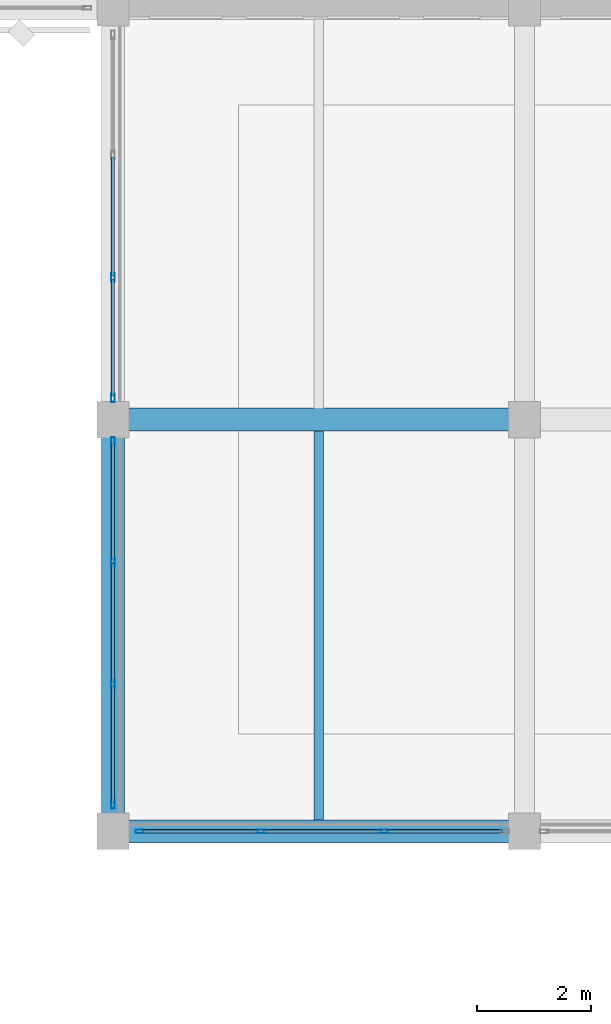
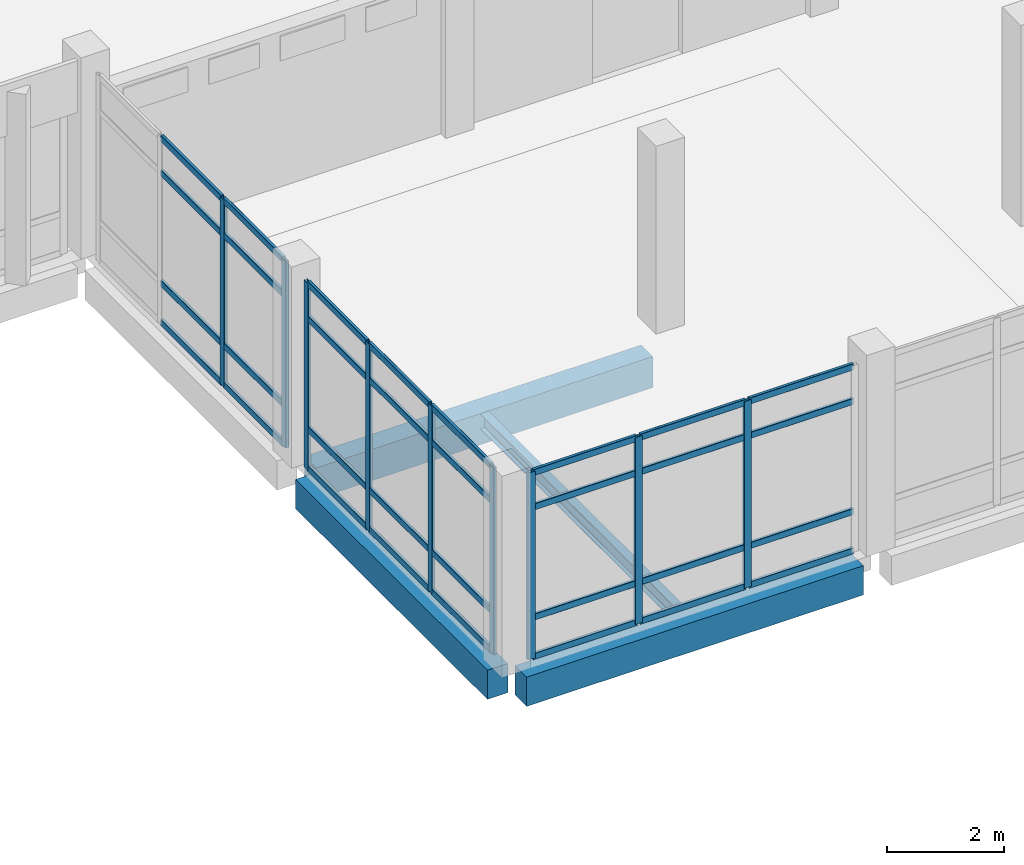
# One storey, part 54 of 158: 41 members, 4 beams, 3 elements without a shape of their own.
"""IFC4 building model written with IfcOpenShell, lengths in metres."""

from ifc_helpers import new_model, si_unit, direction, frame, origin, origin_2d, place, context, subcontext, project, spatial, rectangle, hollow_rectangle, i_section, extrude, material, material_profile, profile_set, type_object, element, aggregate, save


model = new_model("IFC4")

# Units and contexts
model_context = context("Model", 3, precision=1e-05, world=origin(), true_north=direction((0.0, 1.0)))
body_context = subcontext(model_context, "Body", "Model", "MODEL_VIEW")
ifc_project = project(units=[si_unit("LENGTHUNIT", "METRE"), si_unit("AREAUNIT", "SQUARE_METRE"), si_unit("VOLUMEUNIT", "CUBIC_METRE"), si_unit("PLANEANGLEUNIT", "RADIAN"), si_unit("MASSUNIT", "GRAM", prefix="KILO")], contexts=[model_context])

# Site, building, storey
site_placement = place(None, origin())
site = spatial("IfcSite", under=ifc_project, at=site_placement, CompositionType="ELEMENT")
building_placement = place(site_placement, origin())
building = spatial("IfcBuilding", under=site, at=building_placement, Name="Lusvemor Sports Hall", CompositionType="ELEMENT")
storey_placement = place(building_placement, frame((0.0, 0.0, 10.800048828125)))
storey = spatial("IfcBuildingStorey", under=building, at=storey_placement, Name="L02", CompositionType="ELEMENT", Elevation=10.800048828125)

# Beam
ifc_material_1 = material(Name="Concrete C40/50", Category="concrete")
ifc_material_profile_1 = material_profile(ifc_material_1, rectangle(XDim=0.39990234375, YDim=0.64990234375, at=origin_2d()), Name="RC400x650")
ifc_profile_set_1 = profile_set([ifc_material_profile_1], Name="Concrete C40/50")
beam_type_1 = type_object("IfcBeamType", Name="BEAM_RC_650", PredefinedType="BEAM", material=ifc_profile_set_1)
beam_1_placement = place(storey_placement, frame((119.075927734375, 90.0, -0.5849609375), z_axis=(1.0, 0.0, 0.0), x_axis=(0.0, 1.0, 0.0)))
element("IfcBeam", 1, at=beam_1_placement, inside=storey, type_object=beam_type_1, Name="Beam L02 M:13-14", PredefinedType="BEAM", context=body_context, shape_type="SweptSolid", body=[
    extrude(rectangle(XDim=0.39990234375, YDim=0.64990234375, at=origin_2d()), origin(), (0.0, 0.0, 1.0), 6.648193359375),
])

# Curtain wall, members
ifc_material_2 = material(Name="Thermally broken bronze-anodized aluminium", Category="aluminium")
curtain_wall_type = type_object("IfcCurtainWallType", Name="CW_WING_B", PredefinedType="NOTDEFINED", material=ifc_material_2)
curtain_wall_1_placement = place(storey_placement, origin())
curtain_wall_1 = element("IfcCurtainWall", 2, at=curtain_wall_1_placement, inside=storey, type_object=curtain_wall_type, Name="Curtain Wall CW-V5NE-W-L02-A", PredefinedType="NOTDEFINED")
ifc_material_3 = material(Name="Thermally broken bronze-anodized aluminium", Category="aluminium")
ifc_material_profile_2 = material_profile(ifc_material_3, hollow_rectangle(XDim=0.06494140625, YDim=0.14990234375, WallThickness=0.00390625, InnerFilletRadius=0.00390625, OuterFilletRadius=0.008056640625, at=origin_2d()), Name="CWMUL150x65x4")
ifc_profile_set_2 = profile_set([ifc_material_profile_2], Name="Thermally broken bronze-anodized aluminium")
member_type_1 = type_object("IfcMemberType", Name="CW_MUL_B", PredefinedType="MULLION", material=ifc_profile_set_2)
member_1_placement = place(storey_placement, frame((118.800048828125, 83.2724609375, -0.050048828125), z_axis=(0.0, 0.0, 1.0), x_axis=(-1.0, 0.0, 0.0)))
member_1 = element("IfcMember", 3, at=member_1_placement, type_object=member_type_1, Name="CW02 mullion 1", PredefinedType="MULLION", context=body_context, shape_type="SweptSolid", body=[
    extrude(hollow_rectangle(XDim=0.06494140625, YDim=0.14990234375, WallThickness=0.00390625, InnerFilletRadius=0.00390625, OuterFilletRadius=0.008056640625, at=origin_2d()), origin(), (0.0, 0.0, 1.0), 3.89990234375),
])
member_2_placement = place(storey_placement, frame((118.800048828125, 85.376708984375, -0.050048828125), z_axis=(0.0, 0.0, 1.0), x_axis=(-1.0, 0.0, 0.0)))
member_2 = element("IfcMember", 4, at=member_2_placement, type_object=member_type_1, Name="CW02 mullion 2", PredefinedType="MULLION", context=body_context, shape_type="SweptSolid", body=[
    extrude(hollow_rectangle(XDim=0.06494140625, YDim=0.14990234375, WallThickness=0.00390625, InnerFilletRadius=0.00390625, OuterFilletRadius=0.008056640625, at=origin_2d()), origin(), (0.0, 0.0, 1.0), 3.89990234375),
])
member_3_placement = place(storey_placement, frame((118.800048828125, 87.513427734375, -0.050048828125), z_axis=(0.0, 0.0, 1.0), x_axis=(-1.0, 0.0, 0.0)))
member_3 = element("IfcMember", 5, at=member_3_placement, type_object=member_type_1, Name="CW02 mullion 3", PredefinedType="MULLION", context=body_context, shape_type="SweptSolid", body=[
    extrude(hollow_rectangle(XDim=0.06494140625, YDim=0.14990234375, WallThickness=0.00390625, InnerFilletRadius=0.00390625, OuterFilletRadius=0.008056640625, at=origin_2d()), origin(), (0.0, 0.0, 1.0), 3.89990234375),
])
member_4_placement = place(storey_placement, frame((118.800048828125, 89.617431640625, -0.050048828125), z_axis=(0.0, 0.0, 1.0), x_axis=(-1.0, 0.0, 0.0)))
member_4 = element("IfcMember", 6, at=member_4_placement, type_object=member_type_1, Name="CW02 mullion 4", PredefinedType="MULLION", context=body_context, shape_type="SweptSolid", body=[
    extrude(hollow_rectangle(XDim=0.06494140625, YDim=0.14990234375, WallThickness=0.00390625, InnerFilletRadius=0.00390625, OuterFilletRadius=0.008056640625, at=origin_2d()), origin(), (0.0, 0.0, 1.0), 3.89990234375),
])

curtain_wall_2_placement = place(storey_placement, origin())
curtain_wall_2 = element("IfcCurtainWall", 7, at=curtain_wall_2_placement, inside=storey, type_object=curtain_wall_type, Name="Curtain Wall CW-V5NE-W-L02-B", PredefinedType="NOTDEFINED")
member_5_placement = place(storey_placement, frame((118.800048828125, 90.382568359375, -0.050048828125), z_axis=(0.0, 0.0, 1.0), x_axis=(-1.0, 0.0, 0.0)))
member_5 = element("IfcMember", 8, at=member_5_placement, type_object=member_type_1, Name="CW02 mullion 1", PredefinedType="MULLION", context=body_context, shape_type="SweptSolid", body=[
    extrude(hollow_rectangle(XDim=0.06494140625, YDim=0.14990234375, WallThickness=0.00390625, InnerFilletRadius=0.00390625, OuterFilletRadius=0.008056640625, at=origin_2d()), origin(), (0.0, 0.0, 1.0), 3.89990234375),
])
member_6_placement = place(storey_placement, frame((118.800048828125, 92.486572265625, -0.050048828125), z_axis=(0.0, 0.0, 1.0), x_axis=(-1.0, 0.0, 0.0)))
member_6 = element("IfcMember", 9, at=member_6_placement, type_object=member_type_1, Name="CW02 mullion 2", PredefinedType="MULLION", context=body_context, shape_type="SweptSolid", body=[
    extrude(hollow_rectangle(XDim=0.06494140625, YDim=0.14990234375, WallThickness=0.00390625, InnerFilletRadius=0.00390625, OuterFilletRadius=0.008056640625, at=origin_2d()), origin(), (0.0, 0.0, 1.0), 3.89990234375),
])

curtain_wall_3_placement = place(storey_placement, origin())
curtain_wall_3 = element("IfcCurtainWall", 10, at=curtain_wall_3_placement, inside=storey, type_object=curtain_wall_type, Name="Curtain Wall CW-V5NE-S-L02-B", PredefinedType="NOTDEFINED")
member_7_placement = place(storey_placement, frame((123.5400390625, 82.800048828125, -0.050048828125), z_axis=(0.0, 0.0, 1.0), x_axis=(0.0, -1.0, 0.0)))
member_7 = element("IfcMember", 11, at=member_7_placement, type_object=member_type_1, Name="CW02 mullion 2", PredefinedType="MULLION", context=body_context, shape_type="SweptSolid", body=[
    extrude(hollow_rectangle(XDim=0.06494140625, YDim=0.14990234375, WallThickness=0.00390625, InnerFilletRadius=0.00390625, OuterFilletRadius=0.008056640625, at=origin_2d()), origin(), (0.0, 0.0, 1.0), 3.89990234375),
])
member_8_placement = place(storey_placement, frame((121.389892578125, 82.800048828125, -0.050048828125), z_axis=(0.0, 0.0, 1.0), x_axis=(0.0, -1.0, 0.0)))
member_8 = element("IfcMember", 12, at=member_8_placement, type_object=member_type_1, Name="CW02 mullion 3", PredefinedType="MULLION", context=body_context, shape_type="SweptSolid", body=[
    extrude(hollow_rectangle(XDim=0.06494140625, YDim=0.14990234375, WallThickness=0.00390625, InnerFilletRadius=0.00390625, OuterFilletRadius=0.008056640625, at=origin_2d()), origin(), (0.0, 0.0, 1.0), 3.89990234375),
])
member_9_placement = place(storey_placement, frame((119.2724609375, 82.800048828125, -0.050048828125), z_axis=(0.0, 0.0, 1.0), x_axis=(0.0, -1.0, 0.0)))
member_9 = element("IfcMember", 13, at=member_9_placement, type_object=member_type_1, Name="CW02 mullion 4", PredefinedType="MULLION", context=body_context, shape_type="SweptSolid", body=[
    extrude(hollow_rectangle(XDim=0.06494140625, YDim=0.14990234375, WallThickness=0.00390625, InnerFilletRadius=0.00390625, OuterFilletRadius=0.008056640625, at=origin_2d()), origin(), (0.0, 0.0, 1.0), 3.89990234375),
])

# Member
ifc_material_4 = material(Name="Thermally broken bronze-anodized aluminium", Category="aluminium")
ifc_material_profile_3 = material_profile(ifc_material_4, hollow_rectangle(XDim=0.06005859375, YDim=0.135009765625, WallThickness=0.00390625, InnerFilletRadius=0.00390625, OuterFilletRadius=0.008056640625, at=origin_2d()), Name="CWTRN135x60x4")
ifc_profile_set_3 = profile_set([ifc_material_profile_3], Name="Thermally broken bronze-anodized aluminium")
member_type_2 = type_object("IfcMemberType", Name="CW_TRN_B", PredefinedType="USERDEFINED", material=ifc_profile_set_3)
member_10_placement = place(storey_placement, frame((118.800048828125, 83.304931640625, -0.02001953125), z_axis=(0.0, 1.0, 0.0), x_axis=(-1.0, 0.0, 0.0)))
member_10 = element("IfcMember", 14, at=member_10_placement, type_object=member_type_2, Name="CW02 transom 1.1", ObjectType="TRANSOM", PredefinedType="USERDEFINED", context=body_context, shape_type="SweptSolid", body=[
    extrude(hollow_rectangle(XDim=0.06005859375, YDim=0.135009765625, WallThickness=0.00390625, InnerFilletRadius=0.00390625, OuterFilletRadius=0.008056640625, at=origin_2d()), origin(), (0.0, 0.0, 1.0), 2.039306640625),
])

member_11_placement = place(storey_placement, frame((118.800048828125, 83.304931640625, 0.800048828125), z_axis=(0.0, 1.0, 0.0), x_axis=(-1.0, 0.0, 0.0)))
member_11 = element("IfcMember", 15, at=member_11_placement, type_object=member_type_2, Name="CW02 transom 1.2", ObjectType="TRANSOM", PredefinedType="USERDEFINED", context=body_context, shape_type="SweptSolid", body=[
    extrude(hollow_rectangle(XDim=0.06005859375, YDim=0.135009765625, WallThickness=0.00390625, InnerFilletRadius=0.00390625, OuterFilletRadius=0.008056640625, at=origin_2d()), origin(), (0.0, 0.0, 1.0), 2.039306640625),
])

member_12_placement = place(storey_placement, frame((118.800048828125, 83.304931640625, 3.099853515625), z_axis=(0.0, 1.0, 0.0), x_axis=(-1.0, 0.0, 0.0)))
member_12 = element("IfcMember", 16, at=member_12_placement, type_object=member_type_2, Name="CW02 transom 1.3", ObjectType="TRANSOM", PredefinedType="USERDEFINED", context=body_context, shape_type="SweptSolid", body=[
    extrude(hollow_rectangle(XDim=0.06005859375, YDim=0.135009765625, WallThickness=0.00390625, InnerFilletRadius=0.00390625, OuterFilletRadius=0.008056640625, at=origin_2d()), origin(), (0.0, 0.0, 1.0), 2.039306640625),
])

member_13_placement = place(storey_placement, frame((118.800048828125, 83.304931640625, 3.820068359375), z_axis=(0.0, 1.0, 0.0), x_axis=(-1.0, 0.0, 0.0)))
member_13 = element("IfcMember", 17, at=member_13_placement, type_object=member_type_2, Name="CW02 transom 1.4", ObjectType="TRANSOM", PredefinedType="USERDEFINED", context=body_context, shape_type="SweptSolid", body=[
    extrude(hollow_rectangle(XDim=0.06005859375, YDim=0.135009765625, WallThickness=0.00390625, InnerFilletRadius=0.00390625, OuterFilletRadius=0.008056640625, at=origin_2d()), origin(), (0.0, 0.0, 1.0), 2.039306640625),
])

member_14_placement = place(storey_placement, frame((118.800048828125, 85.4091796875, -0.02001953125), z_axis=(0.0, 1.0, 0.0), x_axis=(-1.0, 0.0, 0.0)))
member_14 = element("IfcMember", 18, at=member_14_placement, type_object=member_type_2, Name="CW02 transom 2.1", ObjectType="TRANSOM", PredefinedType="USERDEFINED", context=body_context, shape_type="SweptSolid", body=[
    extrude(hollow_rectangle(XDim=0.06005859375, YDim=0.135009765625, WallThickness=0.00390625, InnerFilletRadius=0.00390625, OuterFilletRadius=0.008056640625, at=origin_2d()), origin(), (0.0, 0.0, 1.0), 2.071533203125),
])

member_15_placement = place(storey_placement, frame((118.800048828125, 85.4091796875, 0.800048828125), z_axis=(0.0, 1.0, 0.0), x_axis=(-1.0, 0.0, 0.0)))
member_15 = element("IfcMember", 19, at=member_15_placement, type_object=member_type_2, Name="CW02 transom 2.2", ObjectType="TRANSOM", PredefinedType="USERDEFINED", context=body_context, shape_type="SweptSolid", body=[
    extrude(hollow_rectangle(XDim=0.06005859375, YDim=0.135009765625, WallThickness=0.00390625, InnerFilletRadius=0.00390625, OuterFilletRadius=0.008056640625, at=origin_2d()), origin(), (0.0, 0.0, 1.0), 2.071533203125),
])

member_16_placement = place(storey_placement, frame((118.800048828125, 85.4091796875, 3.099853515625), z_axis=(0.0, 1.0, 0.0), x_axis=(-1.0, 0.0, 0.0)))
member_16 = element("IfcMember", 20, at=member_16_placement, type_object=member_type_2, Name="CW02 transom 2.3", ObjectType="TRANSOM", PredefinedType="USERDEFINED", context=body_context, shape_type="SweptSolid", body=[
    extrude(hollow_rectangle(XDim=0.06005859375, YDim=0.135009765625, WallThickness=0.00390625, InnerFilletRadius=0.00390625, OuterFilletRadius=0.008056640625, at=origin_2d()), origin(), (0.0, 0.0, 1.0), 2.071533203125),
])

member_17_placement = place(storey_placement, frame((118.800048828125, 85.4091796875, 3.820068359375), z_axis=(0.0, 1.0, 0.0), x_axis=(-1.0, 0.0, 0.0)))
member_17 = element("IfcMember", 21, at=member_17_placement, type_object=member_type_2, Name="CW02 transom 2.4", ObjectType="TRANSOM", PredefinedType="USERDEFINED", context=body_context, shape_type="SweptSolid", body=[
    extrude(hollow_rectangle(XDim=0.06005859375, YDim=0.135009765625, WallThickness=0.00390625, InnerFilletRadius=0.00390625, OuterFilletRadius=0.008056640625, at=origin_2d()), origin(), (0.0, 0.0, 1.0), 2.071533203125),
])

member_18_placement = place(storey_placement, frame((118.800048828125, 87.5458984375, -0.02001953125), z_axis=(0.0, 1.0, 0.0), x_axis=(-1.0, 0.0, 0.0)))
member_18 = element("IfcMember", 22, at=member_18_placement, type_object=member_type_2, Name="CW02 transom 3.1", ObjectType="TRANSOM", PredefinedType="USERDEFINED", context=body_context, shape_type="SweptSolid", body=[
    extrude(hollow_rectangle(XDim=0.06005859375, YDim=0.135009765625, WallThickness=0.00390625, InnerFilletRadius=0.00390625, OuterFilletRadius=0.008056640625, at=origin_2d()), origin(), (0.0, 0.0, 1.0), 2.0390625),
])

member_19_placement = place(storey_placement, frame((118.800048828125, 87.5458984375, 0.800048828125), z_axis=(0.0, 1.0, 0.0), x_axis=(-1.0, 0.0, 0.0)))
member_19 = element("IfcMember", 23, at=member_19_placement, type_object=member_type_2, Name="CW02 transom 3.2", ObjectType="TRANSOM", PredefinedType="USERDEFINED", context=body_context, shape_type="SweptSolid", body=[
    extrude(hollow_rectangle(XDim=0.06005859375, YDim=0.135009765625, WallThickness=0.00390625, InnerFilletRadius=0.00390625, OuterFilletRadius=0.008056640625, at=origin_2d()), origin(), (0.0, 0.0, 1.0), 2.0390625),
])

member_20_placement = place(storey_placement, frame((118.800048828125, 87.5458984375, 3.099853515625), z_axis=(0.0, 1.0, 0.0), x_axis=(-1.0, 0.0, 0.0)))
member_20 = element("IfcMember", 24, at=member_20_placement, type_object=member_type_2, Name="CW02 transom 3.3", ObjectType="TRANSOM", PredefinedType="USERDEFINED", context=body_context, shape_type="SweptSolid", body=[
    extrude(hollow_rectangle(XDim=0.06005859375, YDim=0.135009765625, WallThickness=0.00390625, InnerFilletRadius=0.00390625, OuterFilletRadius=0.008056640625, at=origin_2d()), origin(), (0.0, 0.0, 1.0), 2.0390625),
])

member_21_placement = place(storey_placement, frame((118.800048828125, 87.5458984375, 3.820068359375), z_axis=(0.0, 1.0, 0.0), x_axis=(-1.0, 0.0, 0.0)))
member_21 = element("IfcMember", 25, at=member_21_placement, type_object=member_type_2, Name="CW02 transom 3.4", ObjectType="TRANSOM", PredefinedType="USERDEFINED", context=body_context, shape_type="SweptSolid", body=[
    extrude(hollow_rectangle(XDim=0.06005859375, YDim=0.135009765625, WallThickness=0.00390625, InnerFilletRadius=0.00390625, OuterFilletRadius=0.008056640625, at=origin_2d()), origin(), (0.0, 0.0, 1.0), 2.0390625),
])

aggregate(curtain_wall_1, [member_1, member_2, member_3, member_4, member_10, member_11, member_12, member_13, member_14, member_15, member_16, member_17, member_18, member_19, member_20, member_21])

member_22_placement = place(storey_placement, frame((118.800048828125, 90.4150390625, -0.02001953125), z_axis=(0.0, 1.0, 0.0), x_axis=(-1.0, 0.0, 0.0)))
member_22 = element("IfcMember", 26, at=member_22_placement, type_object=member_type_2, Name="CW02 transom 1.1", ObjectType="TRANSOM", PredefinedType="USERDEFINED", context=body_context, shape_type="SweptSolid", body=[
    extrude(hollow_rectangle(XDim=0.06005859375, YDim=0.135009765625, WallThickness=0.00390625, InnerFilletRadius=0.00390625, OuterFilletRadius=0.008056640625, at=origin_2d()), origin(), (0.0, 0.0, 1.0), 2.0390625),
])

member_23_placement = place(storey_placement, frame((118.800048828125, 90.4150390625, 0.800048828125), z_axis=(0.0, 1.0, 0.0), x_axis=(-1.0, 0.0, 0.0)))
member_23 = element("IfcMember", 27, at=member_23_placement, type_object=member_type_2, Name="CW02 transom 1.2", ObjectType="TRANSOM", PredefinedType="USERDEFINED", context=body_context, shape_type="SweptSolid", body=[
    extrude(hollow_rectangle(XDim=0.06005859375, YDim=0.135009765625, WallThickness=0.00390625, InnerFilletRadius=0.00390625, OuterFilletRadius=0.008056640625, at=origin_2d()), origin(), (0.0, 0.0, 1.0), 2.0390625),
])

member_24_placement = place(storey_placement, frame((118.800048828125, 90.4150390625, 3.099853515625), z_axis=(0.0, 1.0, 0.0), x_axis=(-1.0, 0.0, 0.0)))
member_24 = element("IfcMember", 28, at=member_24_placement, type_object=member_type_2, Name="CW02 transom 1.3", ObjectType="TRANSOM", PredefinedType="USERDEFINED", context=body_context, shape_type="SweptSolid", body=[
    extrude(hollow_rectangle(XDim=0.06005859375, YDim=0.135009765625, WallThickness=0.00390625, InnerFilletRadius=0.00390625, OuterFilletRadius=0.008056640625, at=origin_2d()), origin(), (0.0, 0.0, 1.0), 2.0390625),
])

member_25_placement = place(storey_placement, frame((118.800048828125, 90.4150390625, 3.820068359375), z_axis=(0.0, 1.0, 0.0), x_axis=(-1.0, 0.0, 0.0)))
member_25 = element("IfcMember", 29, at=member_25_placement, type_object=member_type_2, Name="CW02 transom 1.4", ObjectType="TRANSOM", PredefinedType="USERDEFINED", context=body_context, shape_type="SweptSolid", body=[
    extrude(hollow_rectangle(XDim=0.06005859375, YDim=0.135009765625, WallThickness=0.00390625, InnerFilletRadius=0.00390625, OuterFilletRadius=0.008056640625, at=origin_2d()), origin(), (0.0, 0.0, 1.0), 2.0390625),
])

member_26_placement = place(storey_placement, frame((118.800048828125, 92.519287109375, -0.02001953125), z_axis=(0.0, 1.0, 0.0), x_axis=(-1.0, 0.0, 0.0)))
member_26 = element("IfcMember", 30, at=member_26_placement, type_object=member_type_2, Name="CW02 transom 2.1", ObjectType="TRANSOM", PredefinedType="USERDEFINED", context=body_context, shape_type="SweptSolid", body=[
    extrude(hollow_rectangle(XDim=0.06005859375, YDim=0.135009765625, WallThickness=0.00390625, InnerFilletRadius=0.00390625, OuterFilletRadius=0.008056640625, at=origin_2d()), origin(), (0.0, 0.0, 1.0), 2.071533203125),
])

member_27_placement = place(storey_placement, frame((118.800048828125, 92.519287109375, 0.800048828125), z_axis=(0.0, 1.0, 0.0), x_axis=(-1.0, 0.0, 0.0)))
member_27 = element("IfcMember", 31, at=member_27_placement, type_object=member_type_2, Name="CW02 transom 2.2", ObjectType="TRANSOM", PredefinedType="USERDEFINED", context=body_context, shape_type="SweptSolid", body=[
    extrude(hollow_rectangle(XDim=0.06005859375, YDim=0.135009765625, WallThickness=0.00390625, InnerFilletRadius=0.00390625, OuterFilletRadius=0.008056640625, at=origin_2d()), origin(), (0.0, 0.0, 1.0), 2.071533203125),
])

member_28_placement = place(storey_placement, frame((118.800048828125, 92.519287109375, 3.099853515625), z_axis=(0.0, 1.0, 0.0), x_axis=(-1.0, 0.0, 0.0)))
member_28 = element("IfcMember", 32, at=member_28_placement, type_object=member_type_2, Name="CW02 transom 2.3", ObjectType="TRANSOM", PredefinedType="USERDEFINED", context=body_context, shape_type="SweptSolid", body=[
    extrude(hollow_rectangle(XDim=0.06005859375, YDim=0.135009765625, WallThickness=0.00390625, InnerFilletRadius=0.00390625, OuterFilletRadius=0.008056640625, at=origin_2d()), origin(), (0.0, 0.0, 1.0), 2.071533203125),
])

member_29_placement = place(storey_placement, frame((118.800048828125, 92.519287109375, 3.820068359375), z_axis=(0.0, 1.0, 0.0), x_axis=(-1.0, 0.0, 0.0)))
member_29 = element("IfcMember", 33, at=member_29_placement, type_object=member_type_2, Name="CW02 transom 2.4", ObjectType="TRANSOM", PredefinedType="USERDEFINED", context=body_context, shape_type="SweptSolid", body=[
    extrude(hollow_rectangle(XDim=0.06005859375, YDim=0.135009765625, WallThickness=0.00390625, InnerFilletRadius=0.00390625, OuterFilletRadius=0.008056640625, at=origin_2d()), origin(), (0.0, 0.0, 1.0), 2.071533203125),
])

aggregate(curtain_wall_2, [member_5, member_6, member_22, member_23, member_24, member_25, member_26, member_27, member_28, member_29])

member_30_placement = place(storey_placement, frame((125.625, 82.800048828125, -0.02001953125), z_axis=(-1.0, 0.0, 0.0), x_axis=(0.0, -1.0, 0.0)))
member_30 = element("IfcMember", 34, at=member_30_placement, type_object=member_type_2, Name="CW02 transom 1.1", ObjectType="TRANSOM", PredefinedType="USERDEFINED", context=body_context, shape_type="SweptSolid", body=[
    extrude(hollow_rectangle(XDim=0.06005859375, YDim=0.135009765625, WallThickness=0.00390625, InnerFilletRadius=0.00390625, OuterFilletRadius=0.008056640625, at=origin_2d()), origin(), (0.0, 0.0, 1.0), 2.052490234375),
])

member_31_placement = place(storey_placement, frame((125.625, 82.800048828125, 0.800048828125), z_axis=(-1.0, 0.0, 0.0), x_axis=(0.0, -1.0, 0.0)))
member_31 = element("IfcMember", 35, at=member_31_placement, type_object=member_type_2, Name="CW02 transom 1.2", ObjectType="TRANSOM", PredefinedType="USERDEFINED", context=body_context, shape_type="SweptSolid", body=[
    extrude(hollow_rectangle(XDim=0.06005859375, YDim=0.135009765625, WallThickness=0.00390625, InnerFilletRadius=0.00390625, OuterFilletRadius=0.008056640625, at=origin_2d()), origin(), (0.0, 0.0, 1.0), 2.052490234375),
])

member_32_placement = place(storey_placement, frame((125.625, 82.800048828125, 3.099853515625), z_axis=(-1.0, 0.0, 0.0), x_axis=(0.0, -1.0, 0.0)))
member_32 = element("IfcMember", 36, at=member_32_placement, type_object=member_type_2, Name="CW02 transom 1.3", ObjectType="TRANSOM", PredefinedType="USERDEFINED", context=body_context, shape_type="SweptSolid", body=[
    extrude(hollow_rectangle(XDim=0.06005859375, YDim=0.135009765625, WallThickness=0.00390625, InnerFilletRadius=0.00390625, OuterFilletRadius=0.008056640625, at=origin_2d()), origin(), (0.0, 0.0, 1.0), 2.052490234375),
])

member_33_placement = place(storey_placement, frame((125.625, 82.800048828125, 3.820068359375), z_axis=(-1.0, 0.0, 0.0), x_axis=(0.0, -1.0, 0.0)))
member_33 = element("IfcMember", 37, at=member_33_placement, type_object=member_type_2, Name="CW02 transom 1.4", ObjectType="TRANSOM", PredefinedType="USERDEFINED", context=body_context, shape_type="SweptSolid", body=[
    extrude(hollow_rectangle(XDim=0.06005859375, YDim=0.135009765625, WallThickness=0.00390625, InnerFilletRadius=0.00390625, OuterFilletRadius=0.008056640625, at=origin_2d()), origin(), (0.0, 0.0, 1.0), 2.052490234375),
])

member_34_placement = place(storey_placement, frame((123.507568359375, 82.800048828125, -0.02001953125), z_axis=(-1.0, 0.0, 0.0), x_axis=(0.0, -1.0, 0.0)))
member_34 = element("IfcMember", 38, at=member_34_placement, type_object=member_type_2, Name="CW02 transom 2.1", ObjectType="TRANSOM", PredefinedType="USERDEFINED", context=body_context, shape_type="SweptSolid", body=[
    extrude(hollow_rectangle(XDim=0.06005859375, YDim=0.135009765625, WallThickness=0.00390625, InnerFilletRadius=0.00390625, OuterFilletRadius=0.008056640625, at=origin_2d()), origin(), (0.0, 0.0, 1.0), 2.0849609375),
])

member_35_placement = place(storey_placement, frame((123.507568359375, 82.800048828125, 0.800048828125), z_axis=(-1.0, 0.0, 0.0), x_axis=(0.0, -1.0, 0.0)))
member_35 = element("IfcMember", 39, at=member_35_placement, type_object=member_type_2, Name="CW02 transom 2.2", ObjectType="TRANSOM", PredefinedType="USERDEFINED", context=body_context, shape_type="SweptSolid", body=[
    extrude(hollow_rectangle(XDim=0.06005859375, YDim=0.135009765625, WallThickness=0.00390625, InnerFilletRadius=0.00390625, OuterFilletRadius=0.008056640625, at=origin_2d()), origin(), (0.0, 0.0, 1.0), 2.0849609375),
])

member_36_placement = place(storey_placement, frame((123.507568359375, 82.800048828125, 3.099853515625), z_axis=(-1.0, 0.0, 0.0), x_axis=(0.0, -1.0, 0.0)))
member_36 = element("IfcMember", 40, at=member_36_placement, type_object=member_type_2, Name="CW02 transom 2.3", ObjectType="TRANSOM", PredefinedType="USERDEFINED", context=body_context, shape_type="SweptSolid", body=[
    extrude(hollow_rectangle(XDim=0.06005859375, YDim=0.135009765625, WallThickness=0.00390625, InnerFilletRadius=0.00390625, OuterFilletRadius=0.008056640625, at=origin_2d()), origin(), (0.0, 0.0, 1.0), 2.0849609375),
])

member_37_placement = place(storey_placement, frame((123.507568359375, 82.800048828125, 3.820068359375), z_axis=(-1.0, 0.0, 0.0), x_axis=(0.0, -1.0, 0.0)))
member_37 = element("IfcMember", 41, at=member_37_placement, type_object=member_type_2, Name="CW02 transom 2.4", ObjectType="TRANSOM", PredefinedType="USERDEFINED", context=body_context, shape_type="SweptSolid", body=[
    extrude(hollow_rectangle(XDim=0.06005859375, YDim=0.135009765625, WallThickness=0.00390625, InnerFilletRadius=0.00390625, OuterFilletRadius=0.008056640625, at=origin_2d()), origin(), (0.0, 0.0, 1.0), 2.0849609375),
])

member_38_placement = place(storey_placement, frame((121.357421875, 82.800048828125, -0.02001953125), z_axis=(-1.0, 0.0, 0.0), x_axis=(0.0, -1.0, 0.0)))
member_38 = element("IfcMember", 42, at=member_38_placement, type_object=member_type_2, Name="CW02 transom 3.1", ObjectType="TRANSOM", PredefinedType="USERDEFINED", context=body_context, shape_type="SweptSolid", body=[
    extrude(hollow_rectangle(XDim=0.06005859375, YDim=0.135009765625, WallThickness=0.00390625, InnerFilletRadius=0.00390625, OuterFilletRadius=0.008056640625, at=origin_2d()), origin(), (0.0, 0.0, 1.0), 2.052490234375),
])

member_39_placement = place(storey_placement, frame((121.357421875, 82.800048828125, 0.800048828125), z_axis=(-1.0, 0.0, 0.0), x_axis=(0.0, -1.0, 0.0)))
member_39 = element("IfcMember", 43, at=member_39_placement, type_object=member_type_2, Name="CW02 transom 3.2", ObjectType="TRANSOM", PredefinedType="USERDEFINED", context=body_context, shape_type="SweptSolid", body=[
    extrude(hollow_rectangle(XDim=0.06005859375, YDim=0.135009765625, WallThickness=0.00390625, InnerFilletRadius=0.00390625, OuterFilletRadius=0.008056640625, at=origin_2d()), origin(), (0.0, 0.0, 1.0), 2.052490234375),
])

member_40_placement = place(storey_placement, frame((121.357421875, 82.800048828125, 3.099853515625), z_axis=(-1.0, 0.0, 0.0), x_axis=(0.0, -1.0, 0.0)))
member_40 = element("IfcMember", 44, at=member_40_placement, type_object=member_type_2, Name="CW02 transom 3.3", ObjectType="TRANSOM", PredefinedType="USERDEFINED", context=body_context, shape_type="SweptSolid", body=[
    extrude(hollow_rectangle(XDim=0.06005859375, YDim=0.135009765625, WallThickness=0.00390625, InnerFilletRadius=0.00390625, OuterFilletRadius=0.008056640625, at=origin_2d()), origin(), (0.0, 0.0, 1.0), 2.052490234375),
])

member_41_placement = place(storey_placement, frame((121.357421875, 82.800048828125, 3.820068359375), z_axis=(-1.0, 0.0, 0.0), x_axis=(0.0, -1.0, 0.0)))
member_41 = element("IfcMember", 45, at=member_41_placement, type_object=member_type_2, Name="CW02 transom 3.4", ObjectType="TRANSOM", PredefinedType="USERDEFINED", context=body_context, shape_type="SweptSolid", body=[
    extrude(hollow_rectangle(XDim=0.06005859375, YDim=0.135009765625, WallThickness=0.00390625, InnerFilletRadius=0.00390625, OuterFilletRadius=0.008056640625, at=origin_2d()), origin(), (0.0, 0.0, 1.0), 2.052490234375),
])

aggregate(curtain_wall_3, [member_7, member_8, member_9, member_30, member_31, member_32, member_33, member_34, member_35, member_36, member_37, member_38, member_39, member_40, member_41])

# Beams
ifc_material_5 = material(Name="Steel S355", Category="steel")
ifc_material_profile_4 = material_profile(ifc_material_5, i_section(OverallWidth=0.1669921875, OverallDepth=0.31689453125, WebThickness=0.007568359375, FlangeThickness=0.01318359375, FilletRadius=0.014892578125, at=origin_2d()), Name="W310x52.0")
ifc_profile_set_4 = profile_set([ifc_material_profile_4], Name="Steel S355")
beam_type_2 = type_object("IfcBeamType", Name="JOIST_ST_310M", PredefinedType="JOIST", material=ifc_profile_set_4)
beam_2_placement = place(storey_placement, frame((122.39990234375, 82.99609375, -0.422607421875), z_axis=(0.0, 1.0, 0.0), x_axis=(-1.0, 0.0, 0.0)))
element("IfcBeam", 46, at=beam_2_placement, inside=storey, type_object=beam_type_2, Name="Secondary Joist L02 13-14/L-M #1", PredefinedType="JOIST", context=body_context, shape_type="SweptSolid", body=[
    extrude(i_section(OverallWidth=0.1669921875, OverallDepth=0.31689453125, WebThickness=0.007568359375, FlangeThickness=0.01318359375, FilletRadius=0.014892578125, at=origin_2d()), origin(), (0.0, 0.0, 1.0), 6.807861328125),
])
ifc_material_6 = material(Name="Concrete C40/50", Category="concrete")
ifc_material_profile_5 = material_profile(ifc_material_6, rectangle(XDim=0.39990234375, YDim=0.610107421875, at=origin_2d()), Name="RC400x610")
ifc_profile_set_5 = profile_set([ifc_material_profile_5], Name="Concrete C40/50")
beam_type_3 = type_object("IfcBeamType", Name="SPAND_EXT_650", PredefinedType="SPANDREL", material=ifc_profile_set_5)
beam_3_placement = place(storey_placement, frame((119.075927734375, 82.800048828125, -0.56494140625), z_axis=(1.0, 0.0, 0.0), x_axis=(0.0, 1.0, 0.0)))
element("IfcBeam", 47, at=beam_3_placement, inside=storey, type_object=beam_type_3, Name="Beam L02 L:13-14", PredefinedType="SPANDREL", context=body_context, shape_type="SweptSolid", body=[
    extrude(rectangle(XDim=0.39990234375, YDim=0.610107421875, at=origin_2d()), origin(), (0.0, 0.0, 1.0), 6.648193359375),
])
beam_4_placement = place(storey_placement, frame((118.800048828125, 83.115966796875, -0.56494140625), z_axis=(0.0, 1.0, 0.0), x_axis=(-1.0, 0.0, 0.0)))
element("IfcBeam", 48, at=beam_4_placement, inside=storey, type_object=beam_type_3, Name="Beam L02 13:L-M", PredefinedType="SPANDREL", context=body_context, shape_type="SweptSolid", body=[
    extrude(rectangle(XDim=0.39990234375, YDim=0.610107421875, at=origin_2d()), origin(), (0.0, 0.0, 1.0), 6.568115234375),
])

save(model, "model.ifc")
